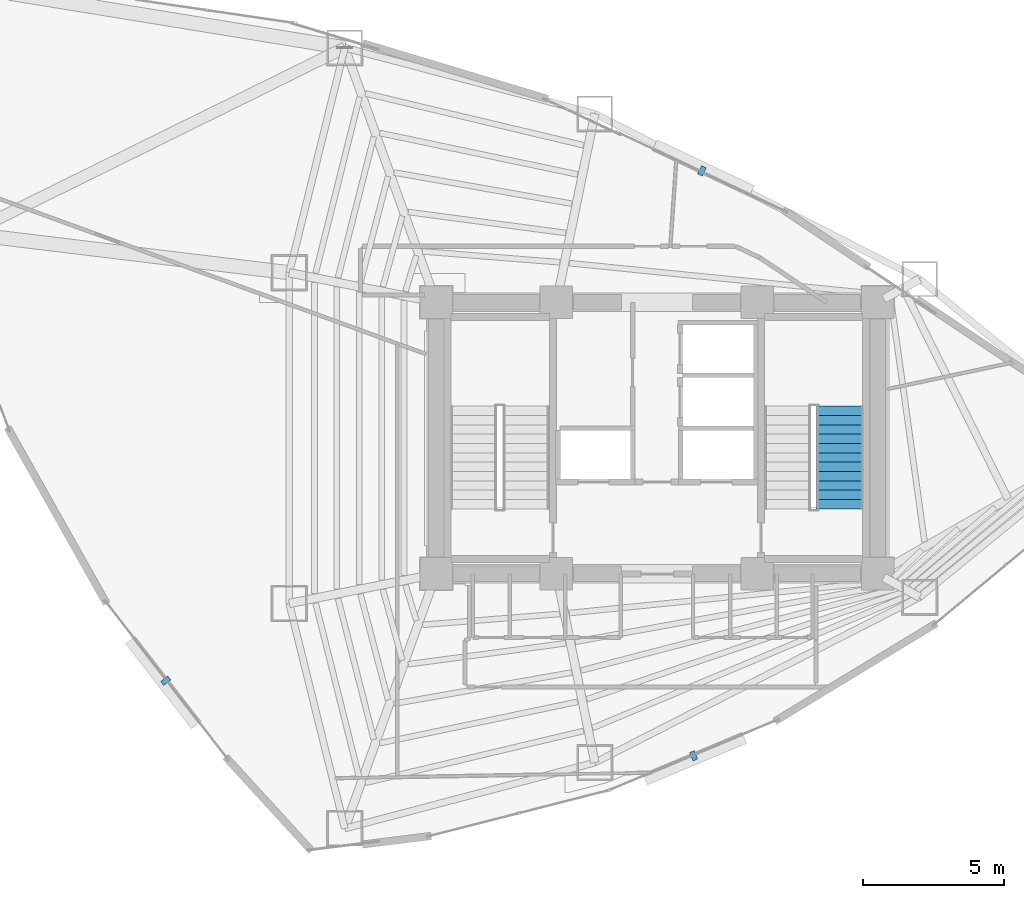
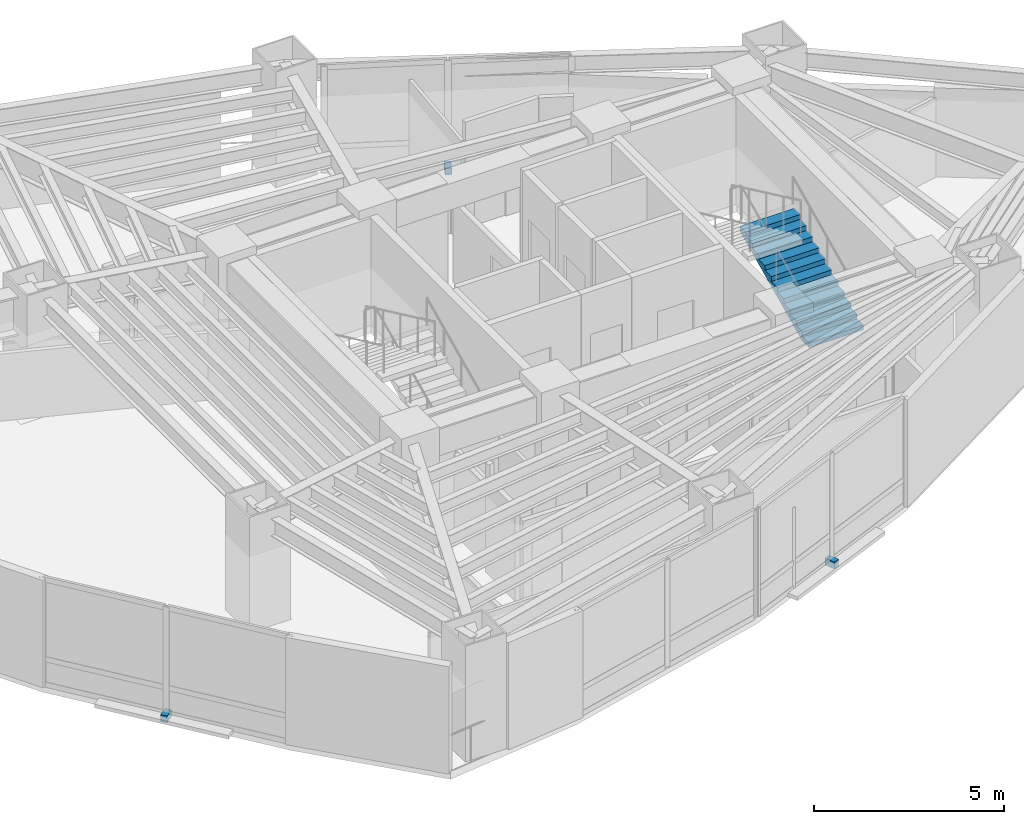
# One storey, part 21 of 25: 3 discrete accessories, 1 stair flight, 1 element without a shape of its own.
"""IFC4 building model written with IfcOpenShell, lengths in metres."""

import ifcopenshell
import ifcopenshell.guid

model = None  # the IFC model being written
_history = None  # IfcOwnerHistory: only IFC2X3 demands one
_inside = {}  # id of a spatial element -> (the spatial element, [elements in it])
_under = {}  # id of a project, library or spatial element -> (it, [spatial elements below it])
_declared = {}  # id of a project -> (the project, [libraries it declares])
_typed = {}  # id of a type object -> (the type object, [elements of that type])
_made_of = {}  # id of a material, layer set ... -> (it, [elements and type objects made of it])


def new_model(schema):
    """Start an empty IFC model of exactly this schema.

    Asked for "IFC4X3", IfcOpenShell would pick the latest addendum, in which some entities
    have other attributes; the version numbers below select the first issue.
    IFC2X3 requires an IfcOwnerHistory on every rooted entity: one is made here for all.
    """
    global model, _history
    if schema == "IFC4X3":
        model = ifcopenshell.file(schema_version=(4, 3, 0, 0))
    else:
        model = ifcopenshell.file(schema=schema)
    _inside.clear()
    _under.clear()
    _declared.clear()
    _typed.clear()
    _made_of.clear()
    _history = None
    if model.schema == "IFC2X3":
        org = make("IfcOrganization", Name="unknown")
        user = make(
            "IfcPersonAndOrganization",
            ThePerson=make("IfcPerson", FamilyName="unknown"),
            TheOrganization=org,
        )
        app = make(
            "IfcApplication",
            ApplicationDeveloper=org,
            Version="unknown",
            ApplicationFullName="unknown",
            ApplicationIdentifier="unknown",
        )
        _history = make(
            "IfcOwnerHistory",
            OwningUser=user,
            OwningApplication=app,
            ChangeAction="ADDED",
            CreationDate=0,
        )
    return model


def make(cls, **values):
    """One entity of the class cls with the attributes given. An attribute that is None is left unset."""
    return model.create_entity(
        cls, **{name: value for name, value in values.items() if value is not None}
    )


def rooted(cls, **values):
    """An entity with a GlobalId (a new one), such as an element, a storey or a relation."""
    return make(cls, GlobalId=ifcopenshell.guid.new(), OwnerHistory=_history, **values)


def si_unit(unit_type, name, prefix=None):
    """IfcSIUnit, for example si_unit("LENGTHUNIT", "METRE", prefix="MILLI")."""
    return make("IfcSIUnit", UnitType=unit_type, Prefix=prefix, Name=name)


def assignment(units):
    """IfcUnitAssignment: the units of a project."""
    return None if units is None else make("IfcUnitAssignment", Units=units)


def point(xyz):
    """IfcCartesianPoint."""
    return None if xyz is None else make("IfcCartesianPoint", Coordinates=xyz)


def direction(xyz):
    """IfcDirection."""
    return None if xyz is None else make("IfcDirection", DirectionRatios=xyz)


def frame(location, z_axis=None, x_axis=None):
    """IfcAxis2Placement3D, a coordinate frame: its origin and axes. An axis left out is left unset."""
    return make(
        "IfcAxis2Placement3D",
        Location=point(location),
        Axis=direction(z_axis),
        RefDirection=direction(x_axis),
    )


def frame_2d(location, x_axis=None):
    """IfcAxis2Placement2D, a coordinate frame in the plane: its origin and x axis."""
    return make(
        "IfcAxis2Placement2D", Location=point(location), RefDirection=direction(x_axis)
    )


def origin():
    """The frame at (0, 0, 0) with its axes left unset."""
    return frame((0.0, 0.0, 0.0))


def origin_2d():
    """The frame at (0, 0) in the plane with its x axis left unset."""
    return frame_2d((0.0, 0.0))


def place(relative_to, where):
    """IfcLocalPlacement: puts the frame where relative to a parent placement (None: the world)."""
    return make(
        "IfcLocalPlacement", PlacementRelTo=relative_to, RelativePlacement=where
    )


def context(
    kind, dimensions, precision=None, world=None, true_north=None, identifier=None
):
    """IfcGeometricRepresentationContext, for example the 3D "Model" context."""
    return make(
        "IfcGeometricRepresentationContext",
        ContextIdentifier=identifier,
        ContextType=kind,
        CoordinateSpaceDimension=dimensions,
        Precision=precision,
        WorldCoordinateSystem=world,
        TrueNorth=true_north,
    )


def subcontext(parent, identifier, kind, view, scale=None):
    """IfcGeometricRepresentationSubContext, for example "Body" below "Model"."""
    return make(
        "IfcGeometricRepresentationSubContext",
        ContextIdentifier=identifier,
        ContextType=kind,
        ParentContext=parent,
        TargetScale=scale,
        TargetView=view,
    )


def project(units=None, contexts=None):
    """IfcProject with its units and contexts."""
    return rooted(
        "IfcProject",
        Name="project",
        RepresentationContexts=contexts,
        UnitsInContext=assignment(units),
    )


def spatial(cls, under=None, at=None, **own):
    """A site, building, storey or space (cls), placed at a placement, below another one or the project."""
    s = rooted(cls, ObjectPlacement=at, **own)
    if under is not None:
        _under.setdefault(under.id(), (under, []))[1].append(s)
    return s


def polyline(points):
    """IfcPolyline through the points."""
    return make("IfcPolyline", Points=[point(p) for p in points])


def profile(cls, at=None, kind="AREA", **sizes):
    """A parametric profile (cls). Its sizes go by their IFC names, for example OverallWidth=200.0."""
    return make(cls, ProfileType=kind, Position=at, **sizes)


def rectangle(**sizes):
    """IfcRectangleProfileDef."""
    return profile("IfcRectangleProfileDef", **sizes)


def outline(outer, holes=None, kind="AREA"):
    """IfcArbitraryClosedProfileDef: a profile drawn as a closed curve; with holes, ...WithVoids."""
    if holes is None:
        return make("IfcArbitraryClosedProfileDef", ProfileType=kind, OuterCurve=outer)
    return make(
        "IfcArbitraryProfileDefWithVoids",
        ProfileType=kind,
        OuterCurve=outer,
        InnerCurves=holes,
    )


def extrude(swept, where, along, depth):
    """IfcExtrudedAreaSolid: the profile swept, set in the frame where, extruded along a direction by depth."""
    return make(
        "IfcExtrudedAreaSolid",
        SweptArea=swept,
        Position=where,
        ExtrudedDirection=direction(along),
        Depth=depth,
    )


def shape(context_of_items, identifier, shape_type, items):
    """IfcShapeRepresentation: the items that make up one representation, for example the "Body"."""
    return make(
        "IfcShapeRepresentation",
        ContextOfItems=context_of_items,
        RepresentationIdentifier=identifier,
        RepresentationType=shape_type,
        Items=items,
    )


def material(Name=None, Category=None):
    """IfcMaterial."""
    return make("IfcMaterial", Name=Name, Category=Category)


def made_of(thing, what):
    """Note that an element or type object is made of a material, layer set ...; save() writes the relation."""
    if what is not None:
        _made_of.setdefault(what.id(), (what, []))[1].append(thing)
    return thing


def type_object(cls, material=None, **own):
    """A type object (cls), such as IfcWallType, which elements share."""
    return made_of(rooted(cls, **own), material)


def element(
    cls,
    number,
    at=None,
    inside=None,
    cuts=None,
    type_object=None,
    material=None,
    context=None,
    identifier="Body",
    shape_type=None,
    held_by="IfcProductDefinitionShape",
    body=None,
    shapes=None,
    **own,
):
    """One element of the class cls, such as IfcWall. Its Tag is "e" and its number.

    at: its placement. inside: the storey or other place that contains it. cuts: it is an
    opening in that element (IfcRelVoidsElement). A single representation is given by context,
    identifier, shape_type and body (its items); several are given by shapes. held_by: the class
    of the entity that holds the representations. save() writes the other relations.
    """
    e = rooted(cls, Tag="e%d" % number, ObjectPlacement=at, **own)
    if body is not None:
        shapes = [shape(context, identifier, shape_type, body)]
    if shapes is not None:
        e.Representation = make(held_by, Representations=shapes)
    if inside is not None:
        _inside.setdefault(inside.id(), (inside, []))[1].append(e)
    if cuts is not None:
        rooted(
            "IfcRelVoidsElement", RelatingBuildingElement=cuts, RelatedOpeningElement=e
        )
    if type_object is not None:
        _typed.setdefault(type_object.id(), (type_object, []))[1].append(e)
    return made_of(e, material)


def aggregate(whole, parts):
    """IfcRelAggregates: a whole, such as a stair, and the parts it consists of."""
    return rooted("IfcRelAggregates", RelatingObject=whole, RelatedObjects=parts)


def save(model, path):
    """Write the relations noted so far, then the file.

    IfcRelAggregates (storeys below a building ...), IfcRelContainedInSpatialStructure (elements
    in a storey), IfcRelDefinesByType, IfcRelAssociatesMaterial and IfcRelDeclares: one each for
    every whole, place, type object, material and project.
    """
    for whole, parts in _under.values():
        aggregate(whole, parts)
    for where, things in _inside.values():
        rooted(
            "IfcRelContainedInSpatialStructure",
            RelatedElements=things,
            RelatingStructure=where,
        )
    for kind, things in _typed.values():
        rooted("IfcRelDefinesByType", RelatedObjects=things, RelatingType=kind)
    for what, things in _made_of.values():
        rooted("IfcRelAssociatesMaterial", RelatedObjects=things, RelatingMaterial=what)
    for by, libraries in _declared.values():
        rooted("IfcRelDeclares", RelatingContext=by, RelatedDefinitions=libraries)
    model.write(path)


model = new_model("IFC4")

# Units and contexts
model_context = context("Model", 3, precision=1e-05, world=origin(), true_north=direction((0.0, 1.0)))
body_context = subcontext(model_context, "Body", "Model", "MODEL_VIEW")
ifc_project = project(units=[si_unit("LENGTHUNIT", "METRE"), si_unit("AREAUNIT", "SQUARE_METRE"), si_unit("VOLUMEUNIT", "CUBIC_METRE"), si_unit("PLANEANGLEUNIT", "RADIAN"), si_unit("MASSUNIT", "GRAM", prefix="KILO")], contexts=[model_context])

# Site, building, storey
site_placement = place(None, origin())
site = spatial("IfcSite", under=ifc_project, at=site_placement, CompositionType="ELEMENT")
building_placement = place(site_placement, origin())
building = spatial("IfcBuilding", under=site, at=building_placement, Name="Menara Vayukalpa", CompositionType="ELEMENT")
storey_placement = place(building_placement, frame((0.0, 0.0, 115.139892578125)))
storey = spatial("IfcBuildingStorey", under=building, at=storey_placement, Name="L28", CompositionType="ELEMENT", Elevation=115.139892578125)

# Stair, stair flight
ifc_material_1 = material(Name="Precast Concrete C40/50", Category="concrete")
stair_type = type_object("IfcStairType", Name="STR-T04", PredefinedType="DOUBLE_RETURN_STAIR", material=ifc_material_1)
stair_placement = place(storey_placement, origin())
stair = element("IfcStair", 1, at=stair_placement, inside=storey, type_object=stair_type, Name="L28 Core Exit Stair ST-2", PredefinedType="DOUBLE_RETURN_STAIR")
ifc_material_2 = material(Name="Precast Concrete C40/50", Category="concrete")
stair_flight_type = type_object("IfcStairFlightType", Name="STF-T04", PredefinedType="STRAIGHT", material=ifc_material_2)
stair_flight_placement = place(storey_placement, frame((32.074951171875, 19.5, 0.0), z_axis=(0.0, 0.0, 1.0), x_axis=(0.0, 1.0, 0.0)))
stair_flight = element("IfcStairFlight", 2, at=stair_flight_placement, type_object=stair_flight_type, Name="ST-2 flight 1", NumberOfRisers=12, NumberOfTreads=11, PredefinedType="STRAIGHT", RiserHeight=0.155, TreadLength=0.33, context=body_context, shape_type="SweptSolid", body=[
    extrude(outline(polyline([(0.0, 0.0), (0.0, 0.155029296875), (0.330078125, 0.155029296875), (0.330078125, 0.31005859375), (0.659912109375, 0.31005859375), (0.659912109375, 0.465087890625), (0.989990234375, 0.465087890625), (0.989990234375, 0.6201171875), (1.320068359375, 0.6201171875), (1.320068359375, 0.77490234375), (1.64990234375, 0.77490234375), (1.64990234375, 0.929931640625), (1.97998046875, 0.929931640625), (1.97998046875, 1.0849609375), (2.31005859375, 1.0849609375), (2.31005859375, 1.239990234375), (2.639892578125, 1.239990234375), (2.639892578125, 1.39501953125), (2.969970703125, 1.39501953125), (2.969970703125, 1.550048828125), (3.300048828125, 1.550048828125), (3.300048828125, 1.705078125), (3.6298828125, 1.705078125), (3.6298828125, 1.860107421875), (3.6298828125, 1.539306640625), (0.3525390625, 0.0), (0.0, 0.0)])), frame((0.0, 0.824951171875, 0.0), z_axis=(0.0, -1.0, 0.0), x_axis=(1.0, 0.0, 0.0)), (0.0, 0.0, 1.0), 1.64990234375),
])
aggregate(stair, [stair_flight])

# Discrete accessories
ifc_material_3 = material(Name="Stainless Steel 316 Sunshade Bracket", Category="steel")
discrete_accessory_type = type_object("IfcDiscreteAccessoryType", Name="ACC-BRK1", PredefinedType="BRACKET", material=ifc_material_3)
for number, where, z_axis, x_axis, name in (
    (3, (27.19189453125, 31.446533203125, -0.15966796875), (0.0, 0.0, 1.0), (-0.90383625926, 0.427878506643, 0.0), "L28 Terracotta Sunshade Bracket 05"),
    (4, (8.240234375, 13.425537109375, -0.15966796875), (0.0, 0.0, 1.0), (0.612189679389, -0.790710943677, 0.0), "L28 Terracotta Sunshade Bracket 13"),
    (5, (26.898193359375, 10.77099609375, -0.15966796875), (0.0, 0.0, 1.0), (0.922544824647, 0.385889940938, 0.0), "L28 Terracotta Sunshade Bracket 17"),
):
    element("IfcDiscreteAccessory", number, at=place(storey_placement, frame(where, z_axis=z_axis, x_axis=x_axis)), inside=storey, type_object=discrete_accessory_type, Name=name, PredefinedType="BRACKET", context=body_context, shape_type="SweptSolid", body=[
        extrude(rectangle(XDim=0.179931640625, YDim=0.320068359375, at=origin_2d()), origin(), (0.0, 0.0, 1.0), 0.219970703125),
    ])

save(model, "model.ifc")
